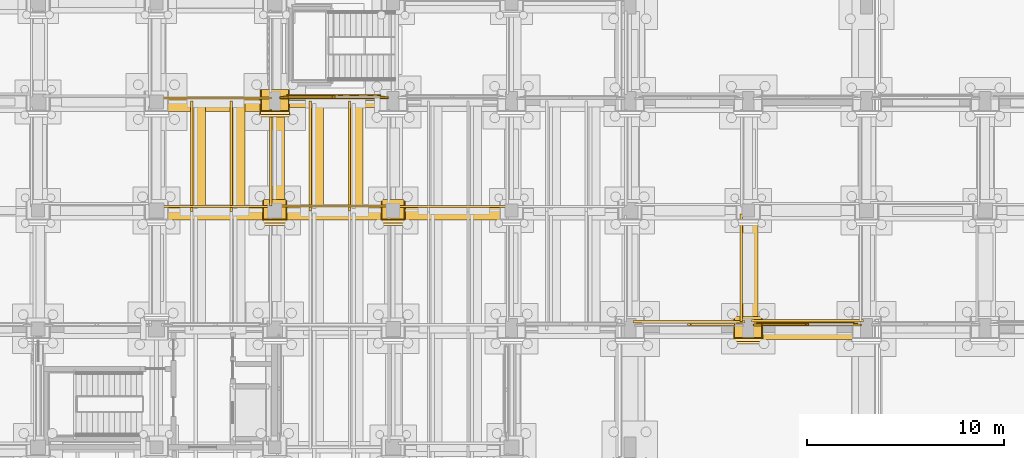
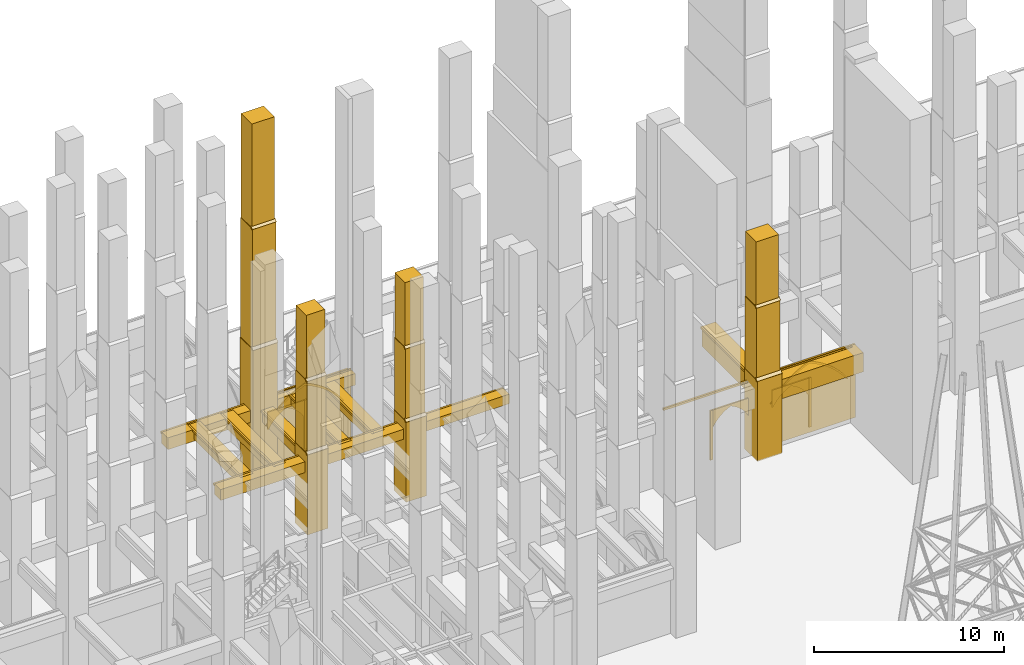
# One storey, part 112 of 135: 56 coverings.
"""IFC4 building model written with IfcOpenShell, lengths in metres."""

from ifc_helpers import new_model, si_unit, direction, frame, origin, origin_2d, place, context, subcontext, project, spatial, polyline, rectangle, outline, extrude, material, type_object, element, save


model = new_model("IFC4")

# Units and contexts
model_context = context("Model", 3, precision=1e-05, world=origin(), true_north=direction((0.0, 1.0)))
body_context = subcontext(model_context, "Body", "Model", "MODEL_VIEW")
ifc_project = project(units=[si_unit("LENGTHUNIT", "METRE"), si_unit("AREAUNIT", "SQUARE_METRE"), si_unit("VOLUMEUNIT", "CUBIC_METRE"), si_unit("PLANEANGLEUNIT", "RADIAN"), si_unit("MASSUNIT", "GRAM", prefix="KILO")], contexts=[model_context])

# Site, building, storey
site_placement = place(None, origin())
site = spatial("IfcSite", under=ifc_project, at=site_placement, CompositionType="ELEMENT")
building_placement = place(site_placement, origin())
building = spatial("IfcBuilding", under=site, at=building_placement, Name="Cumevento Cable Car Station", CompositionType="ELEMENT")
storey_placement = place(building_placement, origin())
storey = spatial("IfcBuildingStorey", under=building, at=storey_placement, Name="L01", CompositionType="ELEMENT", Elevation=0.0)

# Coverings
ifc_material = material(Name="Gnaisse Facoidal Stone Ashlar 85 MPa", Category="masonry")
covering_type = type_object("IfcCoveringType", Name="Gnaisse Ashlar Cladding CV-CL01", PredefinedType="CLADDING", material=ifc_material)
covering_1_placement = place(storey_placement, frame((70.0, 50.909912109375, -0.06005859375), z_axis=(0.0, 0.0, 1.0), x_axis=(1.0, 0.0, 0.0)))
element("IfcCovering", 1, at=covering_1_placement, inside=storey, type_object=covering_type, Name="Stepped Gothic Stone Buttress Tier 1 bt:70.0:51.0", PredefinedType="CLADDING", context=body_context, shape_type="SweptSolid", body=[
    extrude(rectangle(XDim=1.239990234375, YDim=1.300048828125, at=origin_2d()), origin(), (0.0, 0.0, 1.0), 5.175537109375),
])
covering_2_placement = place(storey_placement, frame((69.360107421875, 50.239990234375, 5.095703125), z_axis=(0.0, -0.711135781079, 0.703054692658), x_axis=(1.0, 0.0, 0.0)))
element("IfcCovering", 2, at=covering_2_placement, inside=storey, type_object=covering_type, Name="Gothic Buttress Sloped Stone Weathering 1 bt:70.0:51.0", PredefinedType="CLADDING", context=body_context, shape_type="SweptSolid", body=[
    extrude(outline(polyline([(0.0, 0.0), (1.27978515625, 0.0), (1.27978515625, 0.24169083397703695), (0.0, 0.24169083397703695), (0.0, 0.0)])), origin(), (0.0, 0.0, -1.0), 0.090087890625),
])
covering_3_placement = place(storey_placement, frame((70.0, 50.969970703125, 4.84326171875), z_axis=(0.0, 0.0, 1.0), x_axis=(1.0, 0.0, 0.0)))
element("IfcCovering", 3, at=covering_3_placement, inside=storey, type_object=covering_type, Name="Stepped Gothic Stone Buttress Tier 2 bt:70.0:51.0", PredefinedType="CLADDING", context=body_context, shape_type="SweptSolid", body=[
    extrude(rectangle(XDim=1.179931640625, YDim=1.179931640625, at=origin_2d()), origin(), (0.0, 0.0, 1.0), 4.9033203125),
])
covering_4_placement = place(storey_placement, frame((69.389892578125, 50.360107421875, 9.726318359375), z_axis=(0.0, -0.714474823669, 0.699661151089), x_axis=(1.0, 0.0, 0.0)))
element("IfcCovering", 4, at=covering_4_placement, inside=storey, type_object=covering_type, Name="Gothic Buttress Sloped Stone Weathering 2 bt:70.0:51.0", PredefinedType="CLADDING", context=body_context, shape_type="SweptSolid", body=[
    extrude(outline(polyline([(0.0, 0.0), (1.22021484375, 0.0), (1.22021484375, 0.21424991728737655), (0.0, 0.21424991728737655), (0.0, 0.0)])), origin(), (0.0, 0.0, -1.0), 0.090087890625),
])
covering_5_placement = place(storey_placement, frame((70.0, 51.02001953125, 9.47412109375), z_axis=(0.0, 0.0, 1.0), x_axis=(1.0, 0.0, 0.0)))
element("IfcCovering", 5, at=covering_5_placement, inside=storey, type_object=covering_type, Name="Stepped Gothic Stone Buttress Tier 3 bt:70.0:51.0", PredefinedType="CLADDING", context=body_context, shape_type="SweptSolid", body=[
    extrude(rectangle(XDim=1.1201171875, YDim=1.080078125, at=origin_2d()), origin(), (0.0, 0.0, 1.0), 4.426025390625),
])
covering_6_placement = place(storey_placement, frame((70.0, 56.4423828125, -0.06005859375), z_axis=(0.0, 0.0, 1.0), x_axis=(1.0, 0.0, 0.0)))
element("IfcCovering", 6, at=covering_6_placement, inside=storey, type_object=covering_type, Name="Stepped Gothic Stone Buttress Tier 1 bt:70.0:56.5", PredefinedType="CLADDING", context=body_context, shape_type="SweptSolid", body=[
    extrude(rectangle(XDim=1.489990234375, YDim=1.364990234375, at=origin_2d()), origin(), (0.0, 0.0, 1.0), 8.595703125),
])
covering_7_placement = place(storey_placement, frame((69.235107421875, 55.739990234375, 8.515625), z_axis=(0.0, -0.711135781079, 0.703054692658), x_axis=(1.0, 0.0, 0.0)))
element("IfcCovering", 7, at=covering_7_placement, inside=storey, type_object=covering_type, Name="Gothic Buttress Sloped Stone Weathering 1 bt:70.0:56.5", PredefinedType="CLADDING", context=body_context, shape_type="SweptSolid", body=[
    extrude(outline(polyline([(0.0, 0.0), (1.52978515625, 0.0), (1.52978515625, 0.24169083397703695), (0.0, 0.24169083397703695), (0.0, 0.0)])), origin(), (0.0, 0.0, -1.0), 0.090087890625),
])
covering_8_placement = place(storey_placement, frame((70.0, 56.50244140625, 8.0830078125), z_axis=(0.0, 0.0, 1.0), x_axis=(1.0, 0.0, 0.0)))
element("IfcCovering", 8, at=covering_8_placement, inside=storey, type_object=covering_type, Name="Stepped Gothic Stone Buttress Tier 2 bt:70.0:56.5", PredefinedType="CLADDING", context=body_context, shape_type="SweptSolid", body=[
    extrude(rectangle(XDim=1.429931640625, YDim=1.2451171875, at=origin_2d()), origin(), (0.0, 0.0, 1.0), 8.143310546875),
])
covering_9_placement = place(storey_placement, frame((69.264892578125, 55.860107421875, 16.206298828125), z_axis=(0.0, -0.714474823669, 0.699661151089), x_axis=(1.0, 0.0, 0.0)))
element("IfcCovering", 9, at=covering_9_placement, inside=storey, type_object=covering_type, Name="Gothic Buttress Sloped Stone Weathering 2 bt:70.0:56.5", PredefinedType="CLADDING", context=body_context, shape_type="SweptSolid", body=[
    extrude(outline(polyline([(0.0, 0.0), (1.47021484375, 0.0), (1.47021484375, 0.21424991728737658), (0.0, 0.21424991728737658), (0.0, 0.0)])), origin(), (0.0, 0.0, -1.0), 0.090087890625),
])
covering_10_placement = place(storey_placement, frame((70.0, 56.552490234375, 15.77392578125), z_axis=(0.0, 0.0, 1.0), x_axis=(1.0, 0.0, 0.0)))
element("IfcCovering", 10, at=covering_10_placement, inside=storey, type_object=covering_type, Name="Stepped Gothic Stone Buttress Tier 3 bt:70.0:56.5", PredefinedType="CLADDING", context=body_context, shape_type="SweptSolid", body=[
    extrude(rectangle(XDim=1.3701171875, YDim=1.14501953125, at=origin_2d()), origin(), (0.0, 0.0, 1.0), 7.1259765625),
])
covering_11_placement = place(storey_placement, frame((76.0, 50.909912109375, -0.06005859375), z_axis=(0.0, 0.0, 1.0), x_axis=(1.0, 0.0, 0.0)))
element("IfcCovering", 11, at=covering_11_placement, inside=storey, type_object=covering_type, Name="Stepped Gothic Stone Buttress Tier 1 bt:76.0:51.0", PredefinedType="CLADDING", context=body_context, shape_type="SweptSolid", body=[
    extrude(rectangle(XDim=1.239990234375, YDim=1.300048828125, at=origin_2d()), origin(), (0.0, 0.0, 1.0), 5.175537109375),
])
covering_12_placement = place(storey_placement, frame((75.360107421875, 50.239990234375, 5.095703125), z_axis=(0.0, -0.711135781079, 0.703054692658), x_axis=(1.0, 0.0, 0.0)))
element("IfcCovering", 12, at=covering_12_placement, inside=storey, type_object=covering_type, Name="Gothic Buttress Sloped Stone Weathering 1 bt:76.0:51.0", PredefinedType="CLADDING", context=body_context, shape_type="SweptSolid", body=[
    extrude(outline(polyline([(0.0, 0.0), (1.27978515625, 0.0), (1.27978515625, 0.24169083397703695), (0.0, 0.24169083397703695), (0.0, 0.0)])), origin(), (0.0, 0.0, -1.0), 0.090087890625),
])
covering_13_placement = place(storey_placement, frame((76.0, 50.969970703125, 4.84326171875), z_axis=(0.0, 0.0, 1.0), x_axis=(1.0, 0.0, 0.0)))
element("IfcCovering", 13, at=covering_13_placement, inside=storey, type_object=covering_type, Name="Stepped Gothic Stone Buttress Tier 2 bt:76.0:51.0", PredefinedType="CLADDING", context=body_context, shape_type="SweptSolid", body=[
    extrude(rectangle(XDim=1.179931640625, YDim=1.179931640625, at=origin_2d()), origin(), (0.0, 0.0, 1.0), 4.9033203125),
])
covering_14_placement = place(storey_placement, frame((75.389892578125, 50.360107421875, 9.726318359375), z_axis=(0.0, -0.714474823669, 0.699661151089), x_axis=(1.0, 0.0, 0.0)))
element("IfcCovering", 14, at=covering_14_placement, inside=storey, type_object=covering_type, Name="Gothic Buttress Sloped Stone Weathering 2 bt:76.0:51.0", PredefinedType="CLADDING", context=body_context, shape_type="SweptSolid", body=[
    extrude(outline(polyline([(0.0, 0.0), (1.22021484375, 0.0), (1.22021484375, 0.21424991728737655), (0.0, 0.21424991728737655), (0.0, 0.0)])), origin(), (0.0, 0.0, -1.0), 0.090087890625),
])
covering_15_placement = place(storey_placement, frame((76.0, 51.02001953125, 9.47412109375), z_axis=(0.0, 0.0, 1.0), x_axis=(1.0, 0.0, 0.0)))
element("IfcCovering", 15, at=covering_15_placement, inside=storey, type_object=covering_type, Name="Stepped Gothic Stone Buttress Tier 3 bt:76.0:51.0", PredefinedType="CLADDING", context=body_context, shape_type="SweptSolid", body=[
    extrude(rectangle(XDim=1.1201171875, YDim=1.080078125, at=origin_2d()), origin(), (0.0, 0.0, 1.0), 4.426025390625),
])
covering_16_placement = place(storey_placement, frame((94.0, 44.9423828125, -0.06005859375), z_axis=(0.0, 0.0, 1.0), x_axis=(1.0, 0.0, 0.0)))
element("IfcCovering", 16, at=covering_16_placement, inside=storey, type_object=covering_type, Name="Stepped Gothic Stone Buttress Tier 1 bt:94.0:45.0", PredefinedType="CLADDING", context=body_context, shape_type="SweptSolid", body=[
    extrude(rectangle(XDim=1.489990234375, YDim=1.364990234375, at=origin_2d()), origin(), (0.0, 0.0, 1.0), 5.175537109375),
])
covering_17_placement = place(storey_placement, frame((93.235107421875, 44.239990234375, 5.095703125), z_axis=(0.0, -0.711135781079, 0.703054692658), x_axis=(1.0, 0.0, 0.0)))
element("IfcCovering", 17, at=covering_17_placement, inside=storey, type_object=covering_type, Name="Gothic Buttress Sloped Stone Weathering 1 bt:94.0:45.0", PredefinedType="CLADDING", context=body_context, shape_type="SweptSolid", body=[
    extrude(outline(polyline([(0.0, 0.0), (1.52978515625, 0.0), (1.52978515625, 0.24169083397703695), (0.0, 0.24169083397703695), (0.0, 0.0)])), origin(), (0.0, 0.0, -1.0), 0.090087890625),
])
covering_18_placement = place(storey_placement, frame((94.0, 45.00244140625, 4.84326171875), z_axis=(0.0, 0.0, 1.0), x_axis=(1.0, 0.0, 0.0)))
element("IfcCovering", 18, at=covering_18_placement, inside=storey, type_object=covering_type, Name="Stepped Gothic Stone Buttress Tier 2 bt:94.0:45.0", PredefinedType="CLADDING", context=body_context, shape_type="SweptSolid", body=[
    extrude(rectangle(XDim=1.429931640625, YDim=1.2451171875, at=origin_2d()), origin(), (0.0, 0.0, 1.0), 4.9033203125),
])
covering_19_placement = place(storey_placement, frame((93.264892578125, 44.360107421875, 9.726318359375), z_axis=(0.0, -0.714474823669, 0.699661151089), x_axis=(1.0, 0.0, 0.0)))
element("IfcCovering", 19, at=covering_19_placement, inside=storey, type_object=covering_type, Name="Gothic Buttress Sloped Stone Weathering 2 bt:94.0:45.0", PredefinedType="CLADDING", context=body_context, shape_type="SweptSolid", body=[
    extrude(outline(polyline([(0.0, 0.0), (1.47021484375, 0.0), (1.47021484375, 0.21424991728737658), (0.0, 0.21424991728737658), (0.0, 0.0)])), origin(), (0.0, 0.0, -1.0), 0.090087890625),
])
covering_20_placement = place(storey_placement, frame((94.0, 45.052490234375, 9.47412109375), z_axis=(0.0, 0.0, 1.0), x_axis=(1.0, 0.0, 0.0)))
element("IfcCovering", 20, at=covering_20_placement, inside=storey, type_object=covering_type, Name="Stepped Gothic Stone Buttress Tier 3 bt:94.0:45.0", PredefinedType="CLADDING", context=body_context, shape_type="SweptSolid", body=[
    extrude(rectangle(XDim=1.3701171875, YDim=1.14501953125, at=origin_2d()), origin(), (0.0, 0.0, 1.0), 4.426025390625),
])
covering_21_placement = place(storey_placement, frame((67.0, 50.851318359375, 3.7958984375), z_axis=(0.0, 0.0, 1.0), x_axis=(1.0, 0.0, 0.0)))
element("IfcCovering", 21, at=covering_21_placement, inside=storey, type_object=covering_type, Name="Gothic Stone Spandrel Stringcourse sc:0119", PredefinedType="CLADDING", context=body_context, shape_type="SweptSolid", body=[
    extrude(rectangle(XDim=5.489990234375, YDim=0.66259765625, at=origin_2d()), origin(), (0.0, 0.0, 1.0), 0.694091796875),
])
covering_22_placement = place(storey_placement, frame((67.0, 51.2099609375, 4.360107421875), z_axis=(0.0, 0.0, 1.0), x_axis=(1.0, 0.0, 0.0)))
element("IfcCovering", 22, at=covering_22_placement, inside=storey, type_object=covering_type, Name="Gothic Cornice Dripstone Lip sc:0119", PredefinedType="CLADDING", context=body_context, shape_type="SweptSolid", body=[
    extrude(rectangle(XDim=5.530029296875, YDim=0.114990234375, at=origin_2d()), origin(), (0.0, 0.0, 1.0), 0.1298828125),
])
covering_23_placement = place(storey_placement, frame((73.012451171875, 50.863525390625, 3.843994140625), z_axis=(0.0, 0.0, 1.0), x_axis=(1.0, 0.0, 0.0)))
element("IfcCovering", 23, at=covering_23_placement, inside=storey, type_object=covering_type, Name="Gothic Stone Spandrel Stringcourse sc:0120", PredefinedType="CLADDING", context=body_context, shape_type="SweptSolid", body=[
    extrude(rectangle(XDim=5.514892578125, YDim=0.68701171875, at=origin_2d()), origin(), (0.0, 0.0, 1.0), 0.64599609375),
])
covering_24_placement = place(storey_placement, frame((73.012451171875, 51.234619140625, 4.360107421875), z_axis=(0.0, 0.0, 1.0), x_axis=(1.0, 0.0, 0.0)))
element("IfcCovering", 24, at=covering_24_placement, inside=storey, type_object=covering_type, Name="Gothic Cornice Dripstone Lip sc:0120", PredefinedType="CLADDING", context=body_context, shape_type="SweptSolid", body=[
    extrude(rectangle(XDim=5.554931640625, YDim=0.114990234375, at=origin_2d()), origin(), (0.0, 0.0, 1.0), 0.1298828125),
])
covering_25_placement = place(storey_placement, frame((79.012451171875, 50.85009765625, 3.884033203125), z_axis=(0.0, 0.0, 1.0), x_axis=(1.0, 0.0, 0.0)))
element("IfcCovering", 25, at=covering_25_placement, inside=storey, type_object=covering_type, Name="Gothic Stone Spandrel Stringcourse sc:0121", PredefinedType="CLADDING", context=body_context, shape_type="SweptSolid", body=[
    extrude(rectangle(XDim=5.56494140625, YDim=0.659912109375, at=origin_2d()), origin(), (0.0, 0.0, 1.0), 0.60595703125),
])
covering_26_placement = place(storey_placement, frame((79.012451171875, 51.20751953125, 4.360107421875), z_axis=(0.0, 0.0, 1.0), x_axis=(1.0, 0.0, 0.0)))
element("IfcCovering", 26, at=covering_26_placement, inside=storey, type_object=covering_type, Name="Gothic Cornice Dripstone Lip sc:0121", PredefinedType="CLADDING", context=body_context, shape_type="SweptSolid", body=[
    extrude(rectangle(XDim=5.60498046875, YDim=0.114990234375, at=origin_2d()), origin(), (0.0, 0.0, 1.0), 0.1298828125),
])
covering_27_placement = place(storey_placement, frame((67.02490234375, 56.35009765625, 3.737060546875), z_axis=(0.0, 0.0, 1.0), x_axis=(1.0, 0.0, 0.0)))
element("IfcCovering", 27, at=covering_27_placement, inside=storey, type_object=covering_type, Name="Gothic Stone Spandrel Stringcourse sc:0123", PredefinedType="CLADDING", context=body_context, shape_type="SweptSolid", body=[
    extrude(rectangle(XDim=5.590087890625, YDim=0.659912109375, at=origin_2d()), origin(), (0.0, 0.0, 1.0), 0.7529296875),
])
covering_28_placement = place(storey_placement, frame((67.02490234375, 56.70751953125, 4.360107421875), z_axis=(0.0, 0.0, 1.0), x_axis=(1.0, 0.0, 0.0)))
element("IfcCovering", 28, at=covering_28_placement, inside=storey, type_object=covering_type, Name="Gothic Cornice Dripstone Lip sc:0123", PredefinedType="CLADDING", context=body_context, shape_type="SweptSolid", body=[
    extrude(rectangle(XDim=5.6298828125, YDim=0.114990234375, at=origin_2d()), origin(), (0.0, 0.0, 1.0), 0.1298828125),
])
covering_29_placement = place(storey_placement, frame((73.0, 56.409912109375, 3.742919921875), z_axis=(0.0, 0.0, 1.0), x_axis=(1.0, 0.0, 0.0)))
element("IfcCovering", 29, at=covering_29_placement, inside=storey, type_object=covering_type, Name="Gothic Stone Spandrel Stringcourse sc:0124", PredefinedType="CLADDING", context=body_context, shape_type="SweptSolid", body=[
    extrude(rectangle(XDim=5.4599609375, YDim=0.3798828125, at=origin_2d()), origin(), (0.0, 0.0, 1.0), 0.7470703125),
])
covering_30_placement = place(storey_placement, frame((70.14990234375, 53.675048828125, 3.69287109375), z_axis=(0.0, 0.0, 1.0), x_axis=(0.0, 1.0, 0.0)))
element("IfcCovering", 30, at=covering_30_placement, inside=storey, type_object=covering_type, Name="Gothic Stone Spandrel Stringcourse sc:0128", PredefinedType="CLADDING", context=body_context, shape_type="SweptSolid", body=[
    extrude(rectangle(XDim=4.840087890625, YDim=0.659912109375, at=origin_2d()), origin(), (0.0, 0.0, 1.0), 0.797119140625),
])
covering_31_placement = place(storey_placement, frame((69.79248046875, 53.675048828125, 4.360107421875), z_axis=(0.0, 0.0, 1.0), x_axis=(0.0, 1.0, 0.0)))
element("IfcCovering", 31, at=covering_31_placement, inside=storey, type_object=covering_type, Name="Gothic Cornice Dripstone Lip sc:0128", PredefinedType="CLADDING", context=body_context, shape_type="SweptSolid", body=[
    extrude(rectangle(XDim=4.8798828125, YDim=0.114990234375, at=origin_2d()), origin(), (0.0, 0.0, 1.0), 0.1298828125),
])
covering_32_placement = place(storey_placement, frame((91.0, 45.357421875, 4.360107421875), z_axis=(0.0, 0.0, 1.0), x_axis=(1.0, 0.0, 0.0)))
element("IfcCovering", 32, at=covering_32_placement, inside=storey, type_object=covering_type, Name="Gothic Cornice Dripstone Lip sc:0135", PredefinedType="CLADDING", context=body_context, shape_type="SweptSolid", body=[
    extrude(rectangle(XDim=5.679931640625, YDim=0.114990234375, at=origin_2d()), origin(), (0.0, 0.0, 1.0), 0.1298828125),
])
covering_33_placement = place(storey_placement, frame((97.0, 44.919921875, 3.2900390625), z_axis=(0.0, 0.0, 1.0), x_axis=(1.0, 0.0, 0.0)))
element("IfcCovering", 33, at=covering_33_placement, inside=storey, type_object=covering_type, Name="Gothic Stone Spandrel Stringcourse sc:0136", PredefinedType="CLADDING", context=body_context, shape_type="SweptSolid", body=[
    extrude(rectangle(XDim=5.639892578125, YDim=0.919921875, at=origin_2d()), origin(), (0.0, 0.0, 1.0), 1.239990234375),
])
covering_34_placement = place(storey_placement, frame((97.0, 45.407470703125, 4.400146484375), z_axis=(0.0, 0.0, 1.0), x_axis=(1.0, 0.0, 0.0)))
element("IfcCovering", 34, at=covering_34_placement, inside=storey, type_object=covering_type, Name="Gothic Cornice Dripstone Lip sc:0136", PredefinedType="CLADDING", context=body_context, shape_type="SweptSolid", body=[
    extrude(rectangle(XDim=5.679931640625, YDim=0.114990234375, at=origin_2d()), origin(), (0.0, 0.0, 1.0), 0.1298828125),
])
covering_35_placement = place(storey_placement, frame((94.080078125, 48.10009765625, 3.239990234375), z_axis=(0.0, 0.0, 1.0), x_axis=(0.0, 1.0, 0.0)))
element("IfcCovering", 35, at=covering_35_placement, inside=storey, type_object=covering_type, Name="Gothic Stone Spandrel Stringcourse sc:0150", PredefinedType="CLADDING", context=body_context, shape_type="SweptSolid", body=[
    extrude(rectangle(XDim=5.389892578125, YDim=0.820068359375, at=origin_2d()), origin(), (0.0, 0.0, 1.0), 1.2900390625),
])
covering_36_placement = place(storey_placement, frame((93.642578125, 48.10009765625, 4.400146484375), z_axis=(0.0, 0.0, 1.0), x_axis=(0.0, 1.0, 0.0)))
element("IfcCovering", 36, at=covering_36_placement, inside=storey, type_object=covering_type, Name="Gothic Cornice Dripstone Lip sc:0150", PredefinedType="CLADDING", context=body_context, shape_type="SweptSolid", body=[
    extrude(rectangle(XDim=5.429931640625, YDim=0.114990234375, at=origin_2d()), origin(), (0.0, 0.0, 1.0), 0.1298828125),
])
covering_37_placement = place(storey_placement, frame((66.14990234375, 53.75634765625, 3.8330078125), z_axis=(0.0, 0.0, 1.0), x_axis=(0.0, 1.0, 0.0)))
element("IfcCovering", 37, at=covering_37_placement, inside=storey, type_object=covering_type, Name="Gothic Stone Spandrel Stringcourse sc:0259", PredefinedType="CLADDING", context=body_context, shape_type="SweptSolid", body=[
    extrude(rectangle(XDim=5.571533203125, YDim=0.659912109375, at=origin_2d()), origin(), (0.0, 0.0, 1.0), 0.656982421875),
])
covering_38_placement = place(storey_placement, frame((65.79248046875, 53.75634765625, 4.360107421875), z_axis=(0.0, 0.0, 1.0), x_axis=(0.0, 1.0, 0.0)))
element("IfcCovering", 38, at=covering_38_placement, inside=storey, type_object=covering_type, Name="Gothic Cornice Dripstone Lip sc:0259", PredefinedType="CLADDING", context=body_context, shape_type="SweptSolid", body=[
    extrude(rectangle(XDim=5.611572265625, YDim=0.114990234375, at=origin_2d()), origin(), (0.0, 0.0, 1.0), 0.1298828125),
])
covering_39_placement = place(storey_placement, frame((68.14990234375, 53.75634765625, 3.8330078125), z_axis=(0.0, 0.0, 1.0), x_axis=(0.0, 1.0, 0.0)))
element("IfcCovering", 39, at=covering_39_placement, inside=storey, type_object=covering_type, Name="Gothic Stone Spandrel Stringcourse sc:0261", PredefinedType="CLADDING", context=body_context, shape_type="SweptSolid", body=[
    extrude(rectangle(XDim=5.571533203125, YDim=0.659912109375, at=origin_2d()), origin(), (0.0, 0.0, 1.0), 0.656982421875),
])
covering_40_placement = place(storey_placement, frame((67.79248046875, 53.75634765625, 4.360107421875), z_axis=(0.0, 0.0, 1.0), x_axis=(0.0, 1.0, 0.0)))
element("IfcCovering", 40, at=covering_40_placement, inside=storey, type_object=covering_type, Name="Gothic Cornice Dripstone Lip sc:0261", PredefinedType="CLADDING", context=body_context, shape_type="SweptSolid", body=[
    extrude(rectangle(XDim=5.611572265625, YDim=0.114990234375, at=origin_2d()), origin(), (0.0, 0.0, 1.0), 0.1298828125),
])
covering_41_placement = place(storey_placement, frame((72.14990234375, 53.76904296875, 3.8330078125), z_axis=(0.0, 0.0, 1.0), x_axis=(0.0, 1.0, 0.0)))
element("IfcCovering", 41, at=covering_41_placement, inside=storey, type_object=covering_type, Name="Gothic Stone Spandrel Stringcourse sc:0263", PredefinedType="CLADDING", context=body_context, shape_type="SweptSolid", body=[
    extrude(rectangle(XDim=5.548095703125, YDim=0.659912109375, at=origin_2d()), origin(), (0.0, 0.0, 1.0), 0.656982421875),
])
covering_42_placement = place(storey_placement, frame((71.79248046875, 53.76904296875, 4.360107421875), z_axis=(0.0, 0.0, 1.0), x_axis=(0.0, 1.0, 0.0)))
element("IfcCovering", 42, at=covering_42_placement, inside=storey, type_object=covering_type, Name="Gothic Cornice Dripstone Lip sc:0263", PredefinedType="CLADDING", context=body_context, shape_type="SweptSolid", body=[
    extrude(rectangle(XDim=5.587890625, YDim=0.114990234375, at=origin_2d()), origin(), (0.0, 0.0, 1.0), 0.1298828125),
])
covering_43_placement = place(storey_placement, frame((74.14990234375, 53.76904296875, 3.8330078125), z_axis=(0.0, 0.0, 1.0), x_axis=(0.0, 1.0, 0.0)))
element("IfcCovering", 43, at=covering_43_placement, inside=storey, type_object=covering_type, Name="Gothic Stone Spandrel Stringcourse sc:0265", PredefinedType="CLADDING", context=body_context, shape_type="SweptSolid", body=[
    extrude(rectangle(XDim=5.548095703125, YDim=0.659912109375, at=origin_2d()), origin(), (0.0, 0.0, 1.0), 0.656982421875),
])
covering_44_placement = place(storey_placement, frame((73.79248046875, 53.76904296875, 4.360107421875), z_axis=(0.0, 0.0, 1.0), x_axis=(0.0, 1.0, 0.0)))
element("IfcCovering", 44, at=covering_44_placement, inside=storey, type_object=covering_type, Name="Gothic Cornice Dripstone Lip sc:0265", PredefinedType="CLADDING", context=body_context, shape_type="SweptSolid", body=[
    extrude(rectangle(XDim=5.587890625, YDim=0.114990234375, at=origin_2d()), origin(), (0.0, 0.0, 1.0), 0.1298828125),
])
covering_45_placement = place(storey_placement, frame((70.300048828125, 56.5, 0.0), z_axis=(0.0, 0.0, 1.0), x_axis=(1.0, 0.0, 0.0)))
element("IfcCovering", 45, at=covering_45_placement, inside=storey, type_object=covering_type, Name="Exterior Gnaisse Stone Wall Ashlar #34", PredefinedType="CLADDING", context=body_context, shape_type="SweptSolid", body=[
    extrude(outline(polyline([(-0.0400390625, -0.02001953125), (5.43994140625, -0.02001953125), (5.43994140625, 4.52001953125), (-0.0400390625, 4.52001953125), (-0.0400390625, -0.02001953125)])), frame((0.0, 0.262451171875, 0.0), z_axis=(0.0, -1.0, 0.0), x_axis=(1.0, 0.0, 0.0)), (0.0, 0.0, 1.0), 0.0849609375),
])
placement_1 = place(storey_placement, frame((70.47998046875, 56.5, 0.300048828125), z_axis=(0.0, 0.0, 1.0), x_axis=(1.0, 0.0, 0.0)))
element("IfcCovering", 46, at=placement_1, inside=storey, type_object=covering_type, Name="Gothic Ogival Pointed-Arch Stone Spandrel blind_ogival:0034", PredefinedType="CLADDING", context=body_context, shape_type="SweptSolid", body=[
    extrude(outline(polyline([(-0.050048828125, 0.0), (-0.050048828125, 4.239990234375), (5.090087890625, 4.239990234375), (5.090087890625, 0.0), (4.780029296875, 0.0), (4.780029296875, 2.219970703125), (4.531982421875, 2.55810546875), (4.255126953125, 2.872802734375), (3.951416015625, 3.161865234375), (3.62353515625, 3.423095703125), (3.273681640625, 3.654296875), (2.905029296875, 3.853759765625), (2.52001953125, 4.02001953125), (2.135009765625, 3.853759765625), (1.766357421875, 3.654296875), (1.41650390625, 3.423095703125), (1.088623046875, 3.161865234375), (0.784912109375, 2.872802734375), (0.508056640625, 2.55810546875), (0.260009765625, 2.219970703125), (0.260009765625, 0.0), (-0.050048828125, 0.0)])), frame((0.0, 0.3173828125, 0.0), z_axis=(0.0, -1.0, 0.0), x_axis=(1.0, 0.0, 0.0)), (0.0, 0.0, 1.0), 0.110107421875),
])
covering_47_placement = place(storey_placement, frame((70.47998046875, 56.5, 2.52001953125), z_axis=(0.0, 0.0, 1.0), x_axis=(1.0, 0.0, 0.0)))
element("IfcCovering", 47, at=covering_47_placement, inside=storey, type_object=covering_type, Name="Gothic Pointed Archivolt Hood Moulding blind_ogival:0034", PredefinedType="CLADDING", context=body_context, shape_type="SweptSolid", body=[
    extrude(outline(polyline([(0.260009765625, 0.0), (0.508056640625, 0.338134765625), (0.784912109375, 0.65283203125), (1.088623046875, 0.94189453125), (1.41650390625, 1.203125), (1.766357421875, 1.434326171875), (2.135009765625, 1.6337890625), (2.52001953125, 1.800048828125), (2.905029296875, 1.6337890625), (3.273681640625, 1.434326171875), (3.62353515625, 1.203125), (3.951416015625, 0.94189453125), (4.255126953125, 0.65283203125), (4.531982421875, 0.338134765625), (4.780029296875, 0.0), (4.90087890625, 0.0), (4.6435546875, 0.365478515625), (4.354248046875, 0.706298828125), (4.03564453125, 1.01953125), (3.689697265625, 1.302978515625), (3.31982421875, 1.553955078125), (2.928955078125, 1.770751953125), (2.52001953125, 1.951171875), (2.111083984375, 1.770751953125), (1.72021484375, 1.553955078125), (1.350341796875, 1.302978515625), (1.00439453125, 1.01953125), (0.685791015625, 0.706298828125), (0.396484375, 0.365478515625), (0.138916015625, 0.0), (0.260009765625, 0.0)])), frame((0.0, 0.359619140625, 0.0), z_axis=(0.0, -1.0, 0.0), x_axis=(1.0, 0.0, 0.0)), (0.0, 0.0, 1.0), 0.06689453125),
])
element("IfcCovering", 48, at=placement_1, inside=storey, type_object=covering_type, Name="Gothic Bifora Stone Colonnette blind_ogival:0034 #1", PredefinedType="CLADDING", context=body_context, shape_type="SweptSolid", body=[
    extrude(outline(polyline([(2.445068359375, -0.02001953125), (2.594970703125, -0.02001953125), (2.594970703125, 3.156005859375), (2.445068359375, 3.156005859375), (2.445068359375, -0.02001953125)])), frame((0.0, 0.305419921875, 0.0), z_axis=(0.0, -1.0, 0.0), x_axis=(1.0, 0.0, 0.0)), (0.0, 0.0, 1.0), 0.094970703125),
])
covering_49_placement = place(storey_placement, frame((70.7099609375, 56.5, 2.340087890625), z_axis=(0.0, 0.0, 1.0), x_axis=(1.0, 0.0, 0.0)))
element("IfcCovering", 49, at=covering_49_placement, inside=storey, type_object=covering_type, Name="Gothic Ogival Pointed-Arch Stone Spandrel blind_ogival:0034:sub:0", PredefinedType="CLADDING", context=body_context, shape_type="SweptSolid", body=[
    extrude(outline(polyline([(-0.02001953125, 0.0), (-0.02001953125, 1.115966796875), (2.264892578125, 1.115966796875), (2.264892578125, 0.0), (2.205078125, 0.0), (2.076171875, 0.214111328125), (1.923828125, 0.412109375), (1.75, 0.591552734375), (1.556640625, 0.75), (1.3466796875, 0.88525390625), (1.12255859375, 0.99609375), (0.8984375, 0.88525390625), (0.6884765625, 0.75), (0.4951171875, 0.591552734375), (0.3212890625, 0.412109375), (0.1689453125, 0.214111328125), (0.0400390625, 0.0), (-0.02001953125, 0.0)])), frame((0.0, 0.301513671875, 0.0), z_axis=(0.0, -1.0, 0.0), x_axis=(1.0, 0.0, 0.0)), (0.0, 0.0, 1.0), 0.090087890625),
])
covering_50_placement = place(storey_placement, frame((88.47998046875, 45.0, 0.300048828125), z_axis=(0.0, 0.0, 1.0), x_axis=(1.0, 0.0, 0.0)))
element("IfcCovering", 50, at=covering_50_placement, inside=storey, type_object=covering_type, Name="Gothic Bifora Stone Colonnette blind_ogival:0037 #1", PredefinedType="CLADDING", context=body_context, shape_type="SweptSolid", body=[
    extrude(outline(polyline([(2.445068359375, -0.02001953125), (2.594970703125, -0.02001953125), (2.594970703125, 3.156005859375), (2.445068359375, 3.156005859375), (2.445068359375, -0.02001953125)])), frame((0.0, 0.26806640625, 0.0), z_axis=(0.0, -1.0, 0.0), x_axis=(1.0, 0.0, 0.0)), (0.0, 0.0, 1.0), 0.094970703125),
])
covering_51_placement = place(storey_placement, frame((91.044921875, 45.0, 2.340087890625), z_axis=(0.0, 0.0, 1.0), x_axis=(1.0, 0.0, 0.0)))
element("IfcCovering", 51, at=covering_51_placement, inside=storey, type_object=covering_type, Name="Gothic Ogival Pointed-Arch Stone Spandrel blind_ogival:0037:sub:1", PredefinedType="CLADDING", context=body_context, shape_type="SweptSolid", body=[
    extrude(outline(polyline([(-0.02001953125, 0.0), (-0.02001953125, 1.115966796875), (2.264892578125, 1.115966796875), (2.264892578125, 0.0), (2.205078125, 0.0), (2.076171875, 0.214111328125), (1.923828125, 0.412109375), (1.75, 0.591552734375), (1.556640625, 0.75), (1.3466796875, 0.88525390625), (1.12255859375, 0.99609375), (0.8984375, 0.88525390625), (0.6884765625, 0.75), (0.4951171875, 0.591552734375), (0.3212890625, 0.412109375), (0.1689453125, 0.214111328125), (0.0400390625, 0.0), (-0.02001953125, 0.0)])), frame((0.0, 0.263916015625, 0.0), z_axis=(0.0, -1.0, 0.0), x_axis=(1.0, 0.0, 0.0)), (0.0, 0.0, 1.0), 0.090087890625),
])
covering_52_placement = place(storey_placement, frame((94.300048828125, 45.0, 0.0), z_axis=(0.0, 0.0, 1.0), x_axis=(1.0, 0.0, 0.0)))
element("IfcCovering", 52, at=covering_52_placement, inside=storey, type_object=covering_type, Name="Exterior Gnaisse Stone Wall Ashlar #38", PredefinedType="CLADDING", context=body_context, shape_type="SweptSolid", body=[
    extrude(outline(polyline([(-0.0400390625, -0.02001953125), (5.43994140625, -0.02001953125), (5.43994140625, 4.52001953125), (-0.0400390625, 4.52001953125), (-0.0400390625, -0.02001953125)])), frame((0.0, 0.237548828125, 0.0), z_axis=(0.0, -1.0, 0.0), x_axis=(1.0, 0.0, 0.0)), (0.0, 0.0, 1.0), 0.0849609375),
])
placement_2 = place(storey_placement, frame((94.47998046875, 45.0, 0.300048828125), z_axis=(0.0, 0.0, 1.0), x_axis=(1.0, 0.0, 0.0)))
element("IfcCovering", 53, at=placement_2, inside=storey, type_object=covering_type, Name="Gothic Ogival Pointed-Arch Stone Spandrel blind_ogival:0038", PredefinedType="CLADDING", context=body_context, shape_type="SweptSolid", body=[
    extrude(outline(polyline([(-0.050048828125, 0.0), (-0.050048828125, 4.239990234375), (5.090087890625, 4.239990234375), (5.090087890625, 0.0), (4.780029296875, 0.0), (4.780029296875, 2.219970703125), (4.531982421875, 2.55810546875), (4.255126953125, 2.872802734375), (3.951416015625, 3.161865234375), (3.62353515625, 3.423095703125), (3.273681640625, 3.654296875), (2.905029296875, 3.853759765625), (2.52001953125, 4.02001953125), (2.135009765625, 3.853759765625), (1.766357421875, 3.654296875), (1.41650390625, 3.423095703125), (1.088623046875, 3.161865234375), (0.784912109375, 2.872802734375), (0.508056640625, 2.55810546875), (0.260009765625, 2.219970703125), (0.260009765625, 0.0), (-0.050048828125, 0.0)])), frame((0.0, 0.29248046875, 0.0), z_axis=(0.0, -1.0, 0.0), x_axis=(1.0, 0.0, 0.0)), (0.0, 0.0, 1.0), 0.110107421875),
])
covering_54_placement = place(storey_placement, frame((94.47998046875, 45.0, 2.52001953125), z_axis=(0.0, 0.0, 1.0), x_axis=(1.0, 0.0, 0.0)))
element("IfcCovering", 54, at=covering_54_placement, inside=storey, type_object=covering_type, Name="Gothic Pointed Archivolt Hood Moulding blind_ogival:0038", PredefinedType="CLADDING", context=body_context, shape_type="SweptSolid", body=[
    extrude(outline(polyline([(0.260009765625, 0.0), (0.508056640625, 0.338134765625), (0.784912109375, 0.65283203125), (1.088623046875, 0.94189453125), (1.41650390625, 1.203125), (1.766357421875, 1.434326171875), (2.135009765625, 1.6337890625), (2.52001953125, 1.800048828125), (2.905029296875, 1.6337890625), (3.273681640625, 1.434326171875), (3.62353515625, 1.203125), (3.951416015625, 0.94189453125), (4.255126953125, 0.65283203125), (4.531982421875, 0.338134765625), (4.780029296875, 0.0), (4.90087890625, 0.0), (4.6435546875, 0.365478515625), (4.354248046875, 0.706298828125), (4.03564453125, 1.01953125), (3.689697265625, 1.302978515625), (3.31982421875, 1.553955078125), (2.928955078125, 1.770751953125), (2.52001953125, 1.951171875), (2.111083984375, 1.770751953125), (1.72021484375, 1.553955078125), (1.350341796875, 1.302978515625), (1.00439453125, 1.01953125), (0.685791015625, 0.706298828125), (0.396484375, 0.365478515625), (0.138916015625, 0.0), (0.260009765625, 0.0)])), frame((0.0, 0.33447265625, 0.0), z_axis=(0.0, -1.0, 0.0), x_axis=(1.0, 0.0, 0.0)), (0.0, 0.0, 1.0), 0.06689453125),
])
element("IfcCovering", 55, at=placement_2, inside=storey, type_object=covering_type, Name="Gothic Bifora Stone Colonnette blind_ogival:0038 #1", PredefinedType="CLADDING", context=body_context, shape_type="SweptSolid", body=[
    extrude(outline(polyline([(2.445068359375, -0.02001953125), (2.594970703125, -0.02001953125), (2.594970703125, 3.156005859375), (2.445068359375, 3.156005859375), (2.445068359375, -0.02001953125)])), frame((0.0, 0.280517578125, 0.0), z_axis=(0.0, -1.0, 0.0), x_axis=(1.0, 0.0, 0.0)), (0.0, 0.0, 1.0), 0.094970703125),
])
covering_56_placement = place(storey_placement, frame((94.7099609375, 45.0, 2.340087890625), z_axis=(0.0, 0.0, 1.0), x_axis=(1.0, 0.0, 0.0)))
element("IfcCovering", 56, at=covering_56_placement, inside=storey, type_object=covering_type, Name="Gothic Ogival Pointed-Arch Stone Spandrel blind_ogival:0038:sub:0", PredefinedType="CLADDING", context=body_context, shape_type="SweptSolid", body=[
    extrude(outline(polyline([(-0.02001953125, 0.0), (-0.02001953125, 1.115966796875), (2.264892578125, 1.115966796875), (2.264892578125, 0.0), (2.205078125, 0.0), (2.076171875, 0.214111328125), (1.923828125, 0.412109375), (1.75, 0.591552734375), (1.556640625, 0.75), (1.3466796875, 0.88525390625), (1.12255859375, 0.99609375), (0.8984375, 0.88525390625), (0.6884765625, 0.75), (0.4951171875, 0.591552734375), (0.3212890625, 0.412109375), (0.1689453125, 0.214111328125), (0.0400390625, 0.0), (-0.02001953125, 0.0)])), frame((0.0, 0.276611328125, 0.0), z_axis=(0.0, -1.0, 0.0), x_axis=(1.0, 0.0, 0.0)), (0.0, 0.0, 1.0), 0.090087890625),
])

save(model, "model.ifc")
